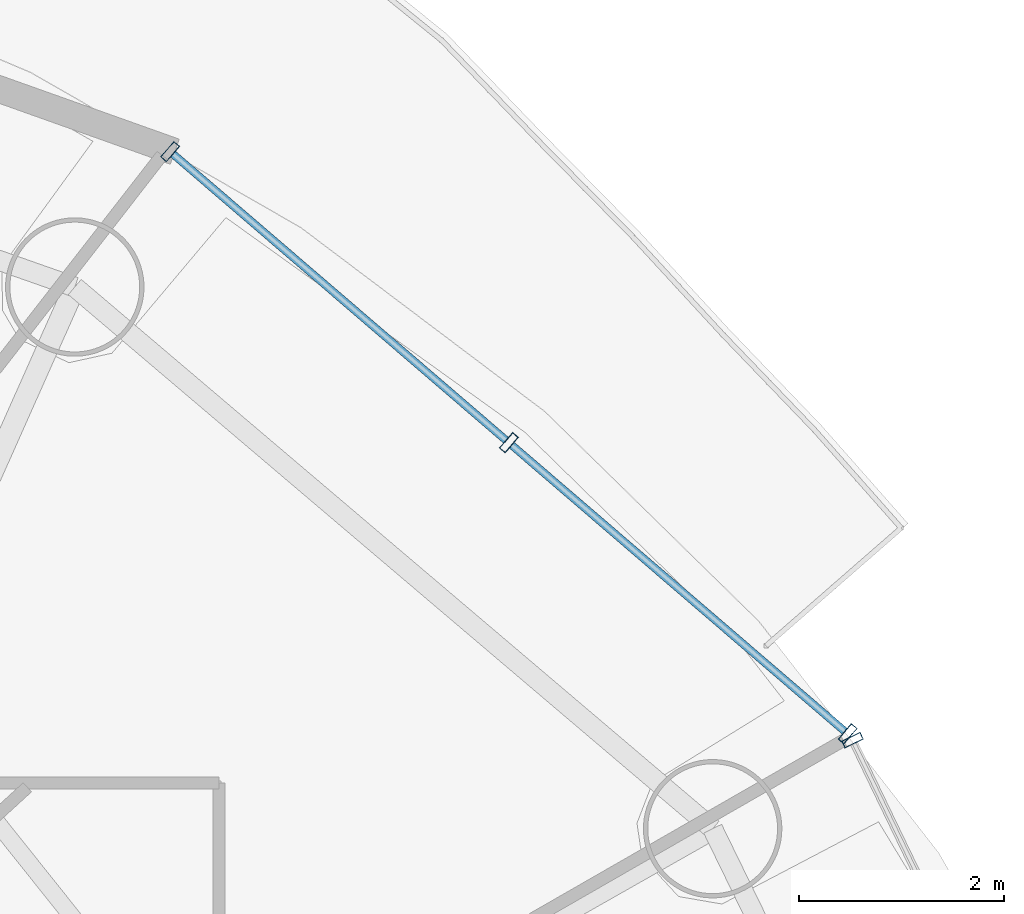
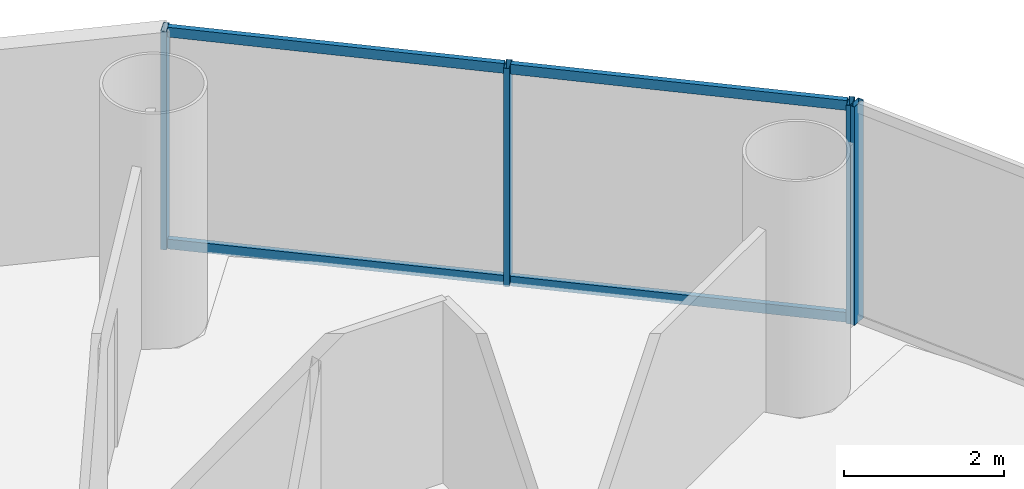
# One storey, part 19 of 27: 8 members, 2 elements without a shape of their own.
"""IFC4 building model written with IfcOpenShell, lengths in metres."""

from ifc_helpers import new_model, si_unit, direction, frame, origin, origin_2d, place, context, subcontext, project, spatial, hollow_rectangle, extrude, source, transform, mapped, material, material_profile, profile_set, type_object, element, aggregate, save


model = new_model("IFC4")

# Units and contexts
model_context = context("Model", 3, precision=1e-05, world=origin(), true_north=direction((-0.2419218956, 0.970295726276)))
body_context = subcontext(model_context, "Body", "Model", "MODEL_VIEW")
ifc_project = project(units=[si_unit("LENGTHUNIT", "METRE"), si_unit("AREAUNIT", "SQUARE_METRE"), si_unit("VOLUMEUNIT", "CUBIC_METRE"), si_unit("PLANEANGLEUNIT", "RADIAN"), si_unit("MASSUNIT", "GRAM", prefix="KILO")], contexts=[model_context])

# Site, building, storey
site_placement = place(None, origin())
site = spatial("IfcSite", under=ifc_project, at=site_placement, CompositionType="ELEMENT")
building_placement = place(site_placement, origin())
building = spatial("IfcBuilding", under=site, at=building_placement, Name="Cobrevalo Terracotta Tower", CompositionType="ELEMENT")
storey_placement = place(building_placement, frame((0.0, 0.0, 149.800048828125)))
storey = spatial("IfcBuildingStorey", under=building, at=storey_placement, Name="L39", CompositionType="ELEMENT", Elevation=149.800048828125)

# Curtain wall, members
ifc_material = material(Name="Anodized aluminium", Category="aluminium")
curtain_wall_type = type_object("IfcCurtainWallType", Name="Mid-tower high-wind unitised curtain wall CW-U2", PredefinedType="NOTDEFINED", material=ifc_material)
curtain_wall_1_placement = place(storey_placement, origin())
curtain_wall_1 = element("IfcCurtainWall", 1, at=curtain_wall_1_placement, inside=storey, type_object=curtain_wall_type, Name="L39 curtain wall CW-L39-S02", PredefinedType="NOTDEFINED")
ifc_material_profile_1 = material_profile(ifc_material, hollow_rectangle(XDim=0.074951171875, YDim=0.14990234375, WallThickness=0.00439453125, at=origin_2d()), Name="CWT 75x150")
ifc_profile_set_1 = profile_set([ifc_material_profile_1], Name="Anodized aluminium")
member_type_1 = type_object("IfcMemberType", Name="Tower unitised aluminium transom 75x150", PredefinedType="USERDEFINED", material=ifc_profile_set_1)
shared_shape_1 = source(origin(), body_context, "Body", "SweptSolid", [
    extrude(hollow_rectangle(XDim=0.074951171875, YDim=0.14990234375, WallThickness=0.00439453125, at=origin_2d()), origin(), (0.0, 0.0, 1.0), 4.276123046875),
])
member_1_placement = place(storey_placement, frame((58.035888671875, 38.391357421875, 0.050048828125), z_axis=(-0.758445941187, 0.65173595443, 0.0), x_axis=(-0.65173595443, -0.758445941187, 0.0)))
member_1 = element("IfcMember", 2, at=member_1_placement, type_object=member_type_1, Name="CW-L39-S02 transom B01-T1", ObjectType="TRANSOM", PredefinedType="USERDEFINED", context=body_context, shape_type="MappedRepresentation", body=[
    mapped(shared_shape_1, transform((0.0, 0.0, 0.0), scale=1.0)),
])
member_2_placement = place(storey_placement, frame((58.035888671875, 38.391357421875, 3.280029296875), z_axis=(-0.758445941187, 0.65173595443, 0.0), x_axis=(-0.65173595443, -0.758445941187, 0.0)))
member_2 = element("IfcMember", 3, at=member_2_placement, type_object=member_type_1, Name="CW-L39-S02 transom B01-T2", ObjectType="TRANSOM", PredefinedType="USERDEFINED", context=body_context, shape_type="MappedRepresentation", body=[
    mapped(shared_shape_1, transform((0.0, 0.0, 0.0), scale=1.0)),
])
member_3_placement = place(storey_placement, frame((54.73193359375, 41.23046875, 0.050048828125), z_axis=(-0.758417719247, 0.651768795764, 0.0), x_axis=(-0.651768795764, -0.758417719247, 0.0)))
member_3 = element("IfcMember", 4, at=member_3_placement, type_object=member_type_1, Name="CW-L39-S02 transom B02-T1", ObjectType="TRANSOM", PredefinedType="USERDEFINED", context=body_context, shape_type="MappedRepresentation", body=[
    mapped(shared_shape_1, transform((0.0, 0.0, 0.0), scale=1.0)),
])
member_4_placement = place(storey_placement, frame((54.73193359375, 41.23046875, 3.280029296875), z_axis=(-0.758417719247, 0.651768795764, 0.0), x_axis=(-0.651768795764, -0.758417719247, 0.0)))
member_4 = element("IfcMember", 5, at=member_4_placement, type_object=member_type_1, Name="CW-L39-S02 transom B02-T2", ObjectType="TRANSOM", PredefinedType="USERDEFINED", context=body_context, shape_type="MappedRepresentation", body=[
    mapped(shared_shape_1, transform((0.0, 0.0, 0.0), scale=1.0)),
])

# Curtain wall, member
curtain_wall_2_placement = place(storey_placement, origin())
curtain_wall_2 = element("IfcCurtainWall", 6, at=curtain_wall_2_placement, inside=storey, type_object=curtain_wall_type, Name="L39 curtain wall CW-L39-S01", PredefinedType="NOTDEFINED")
ifc_material_profile_2 = material_profile(ifc_material, hollow_rectangle(XDim=0.074951171875, YDim=0.199951171875, WallThickness=0.0048828125, at=origin_2d()), Name="CWM 75x200")
ifc_profile_set_2 = profile_set([ifc_material_profile_2], Name="Anodized aluminium")
member_type_2 = type_object("IfcMemberType", Name="Lower/mid tower unitised mullion 75x200", PredefinedType="MULLION", material=ifc_profile_set_2)
shared_shape_2 = source(origin(), body_context, "Body", "SweptSolid", [
    extrude(hollow_rectangle(XDim=0.074951171875, YDim=0.199951171875, WallThickness=0.0048828125, at=origin_2d()), origin(), (0.0, 0.0, 1.0), 3.329833984375),
])
member_5_placement = place(storey_placement, frame((58.114013671875, 38.30322265625, 0.0), z_axis=(0.0, 0.0, 1.0), x_axis=(-0.434209440271, 0.900811945957, 0.0)))
member_5 = element("IfcMember", 7, at=member_5_placement, type_object=member_type_2, Name="CW-L39-S01 vertical mullion 03", PredefinedType="MULLION", context=body_context, shape_type="MappedRepresentation", body=[
    mapped(shared_shape_2, transform((0.0, 0.0, 0.0), scale=1.0)),
])
aggregate(curtain_wall_2, [member_5])

# Member
member_6_placement = place(storey_placement, frame((58.066162109375, 38.365234375, 0.0), z_axis=(0.0, 0.0, 1.0), x_axis=(-0.758441546142, 0.65174106905, 0.0)))
member_6 = element("IfcMember", 8, at=member_6_placement, type_object=member_type_2, Name="CW-L39-S02 vertical mullion 01", PredefinedType="MULLION", context=body_context, shape_type="MappedRepresentation", body=[
    mapped(shared_shape_2, transform((0.0, 0.0, 0.0), scale=1.0)),
])

member_7_placement = place(storey_placement, frame((54.762451171875, 41.204345703125, 0.0), z_axis=(0.0, 0.0, 1.0), x_axis=(-0.758441546142, 0.65174106905, 0.0)))
member_7 = element("IfcMember", 9, at=member_7_placement, type_object=member_type_2, Name="CW-L39-S02 vertical mullion 02", PredefinedType="MULLION", context=body_context, shape_type="MappedRepresentation", body=[
    mapped(shared_shape_2, transform((0.0, 0.0, 0.0), scale=1.0)),
])

member_8_placement = place(storey_placement, frame((51.45849609375, 44.04345703125, 0.0), z_axis=(0.0, 0.0, 1.0), x_axis=(-0.758441546142, 0.65174106905, 0.0)))
member_8 = element("IfcMember", 10, at=member_8_placement, type_object=member_type_2, Name="CW-L39-S02 vertical mullion 03", PredefinedType="MULLION", context=body_context, shape_type="MappedRepresentation", body=[
    mapped(shared_shape_2, transform((0.0, 0.0, 0.0), scale=1.0)),
])

aggregate(curtain_wall_1, [member_6, member_7, member_8, member_1, member_2, member_3, member_4])

save(model, "model.ifc")
